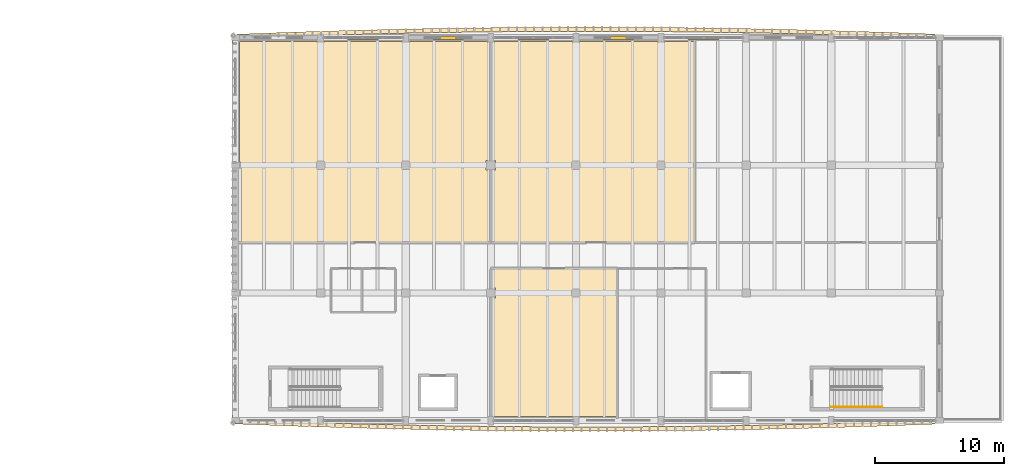
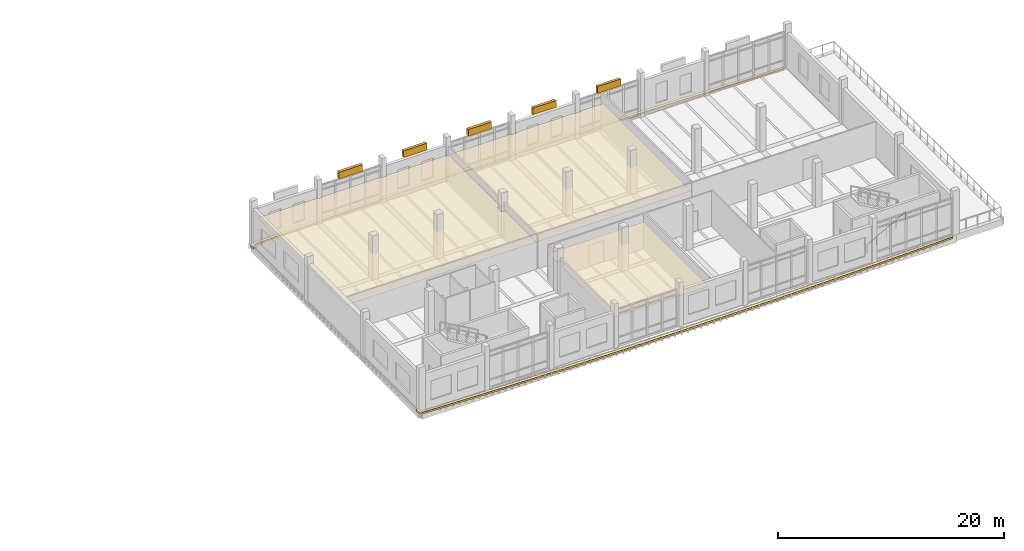
# One storey, part 32 of 39: 5 coverings, 5 shading devices, 1 railing.
"""IFC4 building model written with IfcOpenShell, lengths in metres."""

from ifc_helpers import new_model, si_unit, direction, frame, origin, origin_2d, place, context, subcontext, project, spatial, polyline, rectangle, circle, outline, extrude, material, layer, layer_set, type_object, element, save


model = new_model("IFC4")

# Units and contexts
model_context = context("Model", 3, precision=1e-05, world=origin(), true_north=direction((0.0, 1.0)))
body_context = subcontext(model_context, "Body", "Model", "MODEL_VIEW")
ifc_project = project(units=[si_unit("LENGTHUNIT", "METRE"), si_unit("AREAUNIT", "SQUARE_METRE"), si_unit("VOLUMEUNIT", "CUBIC_METRE"), si_unit("PLANEANGLEUNIT", "RADIAN"), si_unit("MASSUNIT", "GRAM", prefix="KILO")], contexts=[model_context])

# Site, building, storey
site_placement = place(None, origin())
site = spatial("IfcSite", under=ifc_project, at=site_placement, CompositionType="ELEMENT")
building_placement = place(site_placement, origin())
building = spatial("IfcBuilding", under=site, at=building_placement, Name="Dornvale Research Institute", CompositionType="ELEMENT")
storey_placement = place(building_placement, frame((0.0, 0.0, 24.60009765625)))
storey = spatial("IfcBuildingStorey", under=building, at=storey_placement, Name="L05", CompositionType="ELEMENT", Elevation=24.60009765625)

# Coverings
ifc_material_1 = material(Name="Mineral-Fibre Acoustic Lay-In Ceiling Tile System")
ifc_layer_1 = layer(ifc_material_1, 0.02001953125)
ifc_layer_set_1 = layer_set([ifc_layer_1], Name="Mineral-Fibre Acoustic Lay-In Ceiling Tile System")
covering_type_1 = type_object("IfcCoveringType", Name="Covering_Acoustic_Ceiling", PredefinedType="CEILING", material=ifc_layer_set_1)
covering_1_placement = place(storey_placement, frame((0.0, 0.0, 2.849853515625)))
element("IfcCovering", 1, at=covering_1_placement, inside=storey, type_object=covering_type_1, Name="L05 Marine and Atmospheric Chemistry Laboratory suspended ceiling", PredefinedType="CEILING", context=body_context, shape_type="SweptSolid", body=[
    extrude(outline(polyline([(131.72509765625, 121.800048828125), (131.72509765625, 121.72509765625), (132.27490234375, 121.72509765625), (132.27490234375, 121.800048828125), (138.324951171875, 121.800048828125), (138.324951171875, 121.72509765625), (138.580078125, 121.72509765625), (138.580078125, 112.574951171875), (138.22509765625, 112.574951171875), (138.22509765625, 111.824951171875), (138.580078125, 111.824951171875), (138.580078125, 106.219970703125), (119.10009765625, 106.219970703125), (119.10009765625, 111.925048828125), (119.175048828125, 111.925048828125), (119.175048828125, 112.47509765625), (119.10009765625, 112.47509765625), (119.10009765625, 121.800048828125), (125.125, 121.800048828125), (125.125, 121.72509765625), (125.675048828125, 121.72509765625), (125.675048828125, 121.800048828125), (131.72509765625, 121.800048828125)])), origin(), (0.0, 0.0, 1.0), 0.02001953125),
])
covering_2_placement = place(storey_placement, frame((0.0, 0.0, 2.849853515625)))
element("IfcCovering", 2, at=covering_2_placement, inside=storey, type_object=covering_type_1, Name="L05 Catalysis and Electrochemistry Wet Lab suspended ceiling", PredefinedType="CEILING", context=body_context, shape_type="SweptSolid", body=[
    extrude(outline(polyline([(138.97509765625, 111.824951171875), (138.97509765625, 112.574951171875), (138.6201171875, 112.574951171875), (138.6201171875, 121.72509765625), (138.875, 121.72509765625), (138.875, 121.800048828125), (144.925048828125, 121.800048828125), (144.925048828125, 121.72509765625), (145.47509765625, 121.72509765625), (145.47509765625, 121.800048828125), (151.52490234375, 121.800048828125), (151.52490234375, 121.72509765625), (152.074951171875, 121.72509765625), (152.074951171875, 121.800048828125), (154.3798828125, 121.800048828125), (154.3798828125, 106.219970703125), (138.6201171875, 106.219970703125), (138.6201171875, 111.824951171875), (138.97509765625, 111.824951171875)])), origin(), (0.0, 0.0, 1.0), 0.02001953125),
])
covering_3_placement = place(storey_placement, frame((0.0, 0.0, 2.849853515625)))
element("IfcCovering", 3, at=covering_3_placement, inside=storey, type_object=covering_type_1, Name="L05 Laboratory Instrument Support Room L05 suspended ceiling", PredefinedType="CEILING", context=body_context, shape_type="SweptSolid", body=[
    extrude(outline(polyline([(138.6201171875, 102.675048828125), (138.6201171875, 104.179931640625), (148.3798828125, 104.179931640625), (148.3798828125, 92.699951171875), (145.47509765625, 92.699951171875), (145.47509765625, 92.77490234375), (144.925048828125, 92.77490234375), (144.925048828125, 92.699951171875), (138.875, 92.699951171875), (138.875, 92.77490234375), (138.6201171875, 92.77490234375), (138.6201171875, 101.925048828125), (138.97509765625, 101.925048828125), (138.97509765625, 102.675048828125), (138.6201171875, 102.675048828125)])), origin(), (0.0, 0.0, 1.0), 0.02001953125),
])
ifc_material_2 = material(Name="Polychrome Glazed Terracotta Visor Rib Ceramic", Category="masonry")
ifc_layer_2 = layer(ifc_material_2, 0.179931640625)
ifc_layer_set_2 = layer_set([ifc_layer_2], Name="Polychrome Glazed Terracotta Visor Rib Ceramic")
covering_type_2 = type_object("IfcCoveringType", Name="Covering_VisorBrim_LowShelf", PredefinedType="CLADDING", material=ifc_layer_set_2)
covering_4_placement = place(storey_placement, frame((0.0, 0.0, -0.260009765625)))
element("IfcCovering", 4, at=covering_4_placement, inside=storey, type_object=covering_type_2, Name="L05 V4 canted bowed-brim visor hood #60", PredefinedType="CLADDING", context=body_context, shape_type="SweptSolid", body=[
    extrude(outline(polyline([(118.860107421875, 92.457763671875), (120.456787109375, 92.3955078125), (122.111083984375, 92.334716796875), (123.765625, 92.2783203125), (125.419921875, 92.2255859375), (127.074462890625, 92.17724609375), (128.728759765625, 92.1328125), (130.38330078125, 92.09228515625), (132.03759765625, 92.055908203125), (133.69189453125, 92.023681640625), (135.346435546875, 91.995361328125), (137.000732421875, 91.97119140625), (138.6552734375, 91.950927734375), (140.3095703125, 91.934814453125), (141.964111328125, 91.922607421875), (143.618408203125, 91.91455078125), (145.272705078125, 91.910400390625), (146.92724609375, 91.910400390625), (148.58154296875, 91.91455078125), (150.236083984375, 91.922607421875), (151.890380859375, 91.934814453125), (153.544921875, 91.950927734375), (155.19921875, 91.97119140625), (156.853515625, 91.995361328125), (158.508056640625, 92.023681640625), (160.162353515625, 92.055908203125), (161.81689453125, 92.09228515625), (163.47119140625, 92.1328125), (165.12548828125, 92.17724609375), (166.780029296875, 92.2255859375), (168.434326171875, 92.2783203125), (170.0888671875, 92.334716796875), (171.7431640625, 92.3955078125), (173.050048828125, 92.4462890625), (173.050048828125, 92.126953125), (171.755615234375, 92.076416015625), (171.7548828125, 92.076416015625), (170.100341796875, 92.015625), (170.099609375, 92.015625), (168.4453125, 91.959228515625), (168.444580078125, 91.958984375), (166.7900390625, 91.906494140625), (166.789306640625, 91.906494140625), (165.135009765625, 91.858154296875), (165.13427734375, 91.858154296875), (163.479736328125, 91.813720703125), (163.47900390625, 91.813720703125), (161.824462890625, 91.773193359375), (161.823974609375, 91.773193359375), (160.169189453125, 91.73681640625), (160.168701171875, 91.73681640625), (158.51416015625, 91.704345703125), (158.513427734375, 91.704345703125), (156.85888671875, 91.67626953125), (156.8583984375, 91.67626953125), (155.203857421875, 91.65185546875), (155.203125, 91.65185546875), (153.548583984375, 91.631591796875), (153.548095703125, 91.631591796875), (151.893310546875, 91.615478515625), (151.892822265625, 91.615478515625), (150.23828125, 91.603515625), (150.23779296875, 91.603515625), (148.5830078125, 91.59521484375), (148.58251953125, 91.59521484375), (146.927978515625, 91.59130859375), (146.92724609375, 91.59130859375), (145.272705078125, 91.59130859375), (145.272216796875, 91.59130859375), (143.61767578125, 91.59521484375), (143.616943359375, 91.59521484375), (141.96240234375, 91.603515625), (141.961669921875, 91.603515625), (140.30712890625, 91.615478515625), (140.306640625, 91.615478515625), (138.652099609375, 91.631591796875), (138.6513671875, 91.631591796875), (136.996826171875, 91.65185546875), (136.99609375, 91.65185546875), (135.341796875, 91.67626953125), (135.341064453125, 91.67626953125), (133.6865234375, 91.704345703125), (133.685791015625, 91.704345703125), (132.03125, 91.73681640625), (132.03076171875, 91.73681640625), (130.376220703125, 91.773193359375), (130.37548828125, 91.773193359375), (128.720947265625, 91.813720703125), (128.72021484375, 91.813720703125), (127.065673828125, 91.858154296875), (127.065185546875, 91.858154296875), (125.41064453125, 91.906494140625), (125.409912109375, 91.906494140625), (123.75537109375, 91.958984375), (123.7548828125, 91.959228515625), (122.100341796875, 92.015625), (122.099609375, 92.015625), (120.445068359375, 92.076416015625), (120.4443359375, 92.076416015625), (118.789794921875, 92.14111328125), (118.69384765625, 92.16357421875), (118.61328125, 92.22021484375), (118.5595703125, 92.302978515625), (118.540771484375, 92.39990234375), (118.540771484375, 92.85009765625), (118.860107421875, 92.85009765625), (118.860107421875, 92.457763671875)])), origin(), (0.0, 0.0, 1.0), 0.179931640625),
])
covering_5_placement = place(storey_placement, frame((0.0, 0.0, -0.260009765625)))
element("IfcCovering", 5, at=covering_5_placement, inside=storey, type_object=covering_type_2, Name="L05 V4 canted bowed-brim visor hood #61", PredefinedType="CLADDING", context=body_context, shape_type="SweptSolid", body=[
    extrude(outline(polyline([(118.61328125, 122.27978515625), (118.69384765625, 122.33642578125), (118.789794921875, 122.35888671875), (120.4443359375, 122.423583984375), (120.445068359375, 122.423583984375), (122.099609375, 122.484375), (122.100341796875, 122.484375), (123.7548828125, 122.540771484375), (123.75537109375, 122.541015625), (125.409912109375, 122.593505859375), (125.41064453125, 122.593505859375), (127.065185546875, 122.641845703125), (127.065673828125, 122.641845703125), (128.72021484375, 122.686279296875), (128.720947265625, 122.686279296875), (130.37548828125, 122.726806640625), (130.376220703125, 122.726806640625), (132.03076171875, 122.76318359375), (132.03125, 122.76318359375), (133.685791015625, 122.795654296875), (133.6865234375, 122.795654296875), (135.341064453125, 122.82373046875), (135.341796875, 122.82373046875), (136.99609375, 122.84814453125), (136.996826171875, 122.84814453125), (138.6513671875, 122.868408203125), (138.652099609375, 122.868408203125), (140.306640625, 122.884521484375), (140.30712890625, 122.884521484375), (141.961669921875, 122.896484375), (141.96240234375, 122.896484375), (143.616943359375, 122.90478515625), (143.61767578125, 122.90478515625), (145.272216796875, 122.90869140625), (145.272705078125, 122.90869140625), (146.92724609375, 122.90869140625), (146.927978515625, 122.90869140625), (148.58251953125, 122.90478515625), (148.5830078125, 122.90478515625), (150.23779296875, 122.896484375), (150.23828125, 122.896484375), (151.892822265625, 122.884521484375), (151.893310546875, 122.884521484375), (153.548095703125, 122.868408203125), (153.548583984375, 122.868408203125), (155.203125, 122.84814453125), (155.203857421875, 122.84814453125), (156.8583984375, 122.82373046875), (156.85888671875, 122.82373046875), (158.513427734375, 122.795654296875), (158.51416015625, 122.795654296875), (160.168701171875, 122.76318359375), (160.169189453125, 122.76318359375), (161.823974609375, 122.726806640625), (161.824462890625, 122.726806640625), (163.47900390625, 122.686279296875), (163.479736328125, 122.686279296875), (165.13427734375, 122.641845703125), (165.135009765625, 122.641845703125), (166.789306640625, 122.593505859375), (166.7900390625, 122.593505859375), (168.444580078125, 122.541015625), (168.4453125, 122.540771484375), (170.099609375, 122.484375), (170.100341796875, 122.484375), (171.7548828125, 122.423583984375), (171.755615234375, 122.423583984375), (173.050048828125, 122.373046875), (173.050048828125, 122.0537109375), (171.7431640625, 122.1044921875), (170.0888671875, 122.165283203125), (168.434326171875, 122.2216796875), (166.780029296875, 122.2744140625), (165.12548828125, 122.32275390625), (163.47119140625, 122.3671875), (161.81689453125, 122.40771484375), (160.162353515625, 122.444091796875), (158.508056640625, 122.476318359375), (156.853515625, 122.504638671875), (155.19921875, 122.52880859375), (153.544921875, 122.549072265625), (151.890380859375, 122.565185546875), (150.236083984375, 122.577392578125), (148.58154296875, 122.58544921875), (146.92724609375, 122.589599609375), (145.272705078125, 122.589599609375), (143.618408203125, 122.58544921875), (141.964111328125, 122.577392578125), (140.3095703125, 122.565185546875), (138.6552734375, 122.549072265625), (137.000732421875, 122.52880859375), (135.346435546875, 122.504638671875), (133.69189453125, 122.476318359375), (132.03759765625, 122.444091796875), (130.38330078125, 122.40771484375), (128.728759765625, 122.3671875), (127.074462890625, 122.32275390625), (125.419921875, 122.2744140625), (123.765625, 122.2216796875), (122.111083984375, 122.165283203125), (120.456787109375, 122.1044921875), (118.860107421875, 122.042236328125), (118.860107421875, 121.64990234375), (118.540771484375, 121.64990234375), (118.540771484375, 122.10009765625), (118.5595703125, 122.197021484375), (118.61328125, 122.27978515625)])), origin(), (0.0, 0.0, 1.0), 0.179931640625),
])

# Railing
ifc_material_3 = material(Name="Galvanized Painted Tubular Steel Stair Rail", Category="steel")
ifc_layer_3 = layer(ifc_material_3, 0.044921875)
ifc_layer_set_3 = layer_set([ifc_layer_3], Name="Galvanized Painted Tubular Steel Stair Rail")
railing_type = type_object("IfcRailingType", Name="Railing_Stair_Handrail_900", PredefinedType="HANDRAIL", material=ifc_layer_set_3)
railing_placement = place(storey_placement, frame((165.02001953125, 93.449951171875, 0.17138671875)))
element("IfcRailing", 6, at=railing_placement, inside=storey, type_object=railing_type, Name="L05 ST-4 stair handrail 1", PredefinedType="HANDRAIL", context=body_context, shape_type="SweptSolid", body=[
    extrude(circle(Radius=0.02392578125, at=origin_2d()), frame((0.0, 0.0, 0.8759765625), z_axis=(0.868243142124, 0.0, 0.496138938357), x_axis=(0.0, 1.0, 0.0)), (0.0, 0.0, 1.0), 4.49169921875),
    extrude(circle(Radius=0.02099609375, at=origin_2d()), origin(), (0.0, 0.0, 1.0), 0.851806640625),
    extrude(circle(Radius=0.02099609375, at=origin_2d()), frame((0.97509765625, 0.0, 0.55712890625)), (0.0, 0.0, 1.0), 0.851806640625),
    extrude(circle(Radius=0.02099609375, at=origin_2d()), frame((1.949951171875, 0.0, 1.1142578125)), (0.0, 0.0, 1.0), 0.851806640625),
    extrude(circle(Radius=0.02099609375, at=origin_2d()), frame((2.9248046875, 0.0, 1.67138671875)), (0.0, 0.0, 1.0), 0.851806640625),
    extrude(circle(Radius=0.02099609375, at=origin_2d()), frame((3.89990234375, 0.0, 2.228515625)), (0.0, 0.0, 1.0), 0.851806640625),
])

# Shading devices
ifc_material_4 = material(Name="Extruded Aluminum Acoustic Intake Louvre", Category="aluminium")
ifc_layer_4 = layer(ifc_material_4, 0.139892578125)
ifc_layer_set_4 = layer_set([ifc_layer_4], Name="Extruded Aluminum Acoustic Intake Louvre")
shading_device_type = type_object("IfcShadingDeviceType", Name="Shading_Acoustic_Louvre", PredefinedType="USERDEFINED", material=ifc_layer_set_4)
for number, where, z_axis, x_axis, name in (
    (7, (128.699951171875, 122.10009765625, 4.02001953125), (0.0, 0.0, 1.0), (1.0, 0.0, 0.0), "L05 V4 extruded aluminum acoustic louvre #39"),
    (8, (135.300048828125, 122.10009765625, 4.02001953125), (0.0, 0.0, 1.0), (1.0, 0.0, 0.0), "L05 V4 extruded aluminum acoustic louvre #40"),
    (9, (141.89990234375, 122.10009765625, 4.02001953125), (0.0, 0.0, 1.0), (1.0, 0.0, 0.0), "L05 V4 extruded aluminum acoustic louvre #41"),
    (10, (148.5, 122.10009765625, 4.02001953125), (0.0, 0.0, 1.0), (1.0, 0.0, 0.0), "L05 V4 extruded aluminum acoustic louvre #42"),
    (11, (155.10009765625, 122.10009765625, 4.02001953125), (0.0, 0.0, 1.0), (1.0, 0.0, 0.0), "L05 V4 extruded aluminum acoustic louvre #43"),
):
    element("IfcShadingDevice", number, at=place(storey_placement, frame(where, z_axis=z_axis, x_axis=x_axis)), inside=storey, type_object=shading_device_type, Name=name, ObjectType="LOUVRE", PredefinedType="USERDEFINED", context=body_context, shape_type="SweptSolid", body=[
        extrude(rectangle(XDim=2.39990234375, YDim=0.280029296875, at=origin_2d()), origin(), (0.0, 0.0, 1.0), 0.719970703125),
    ])

save(model, "model.ifc")
